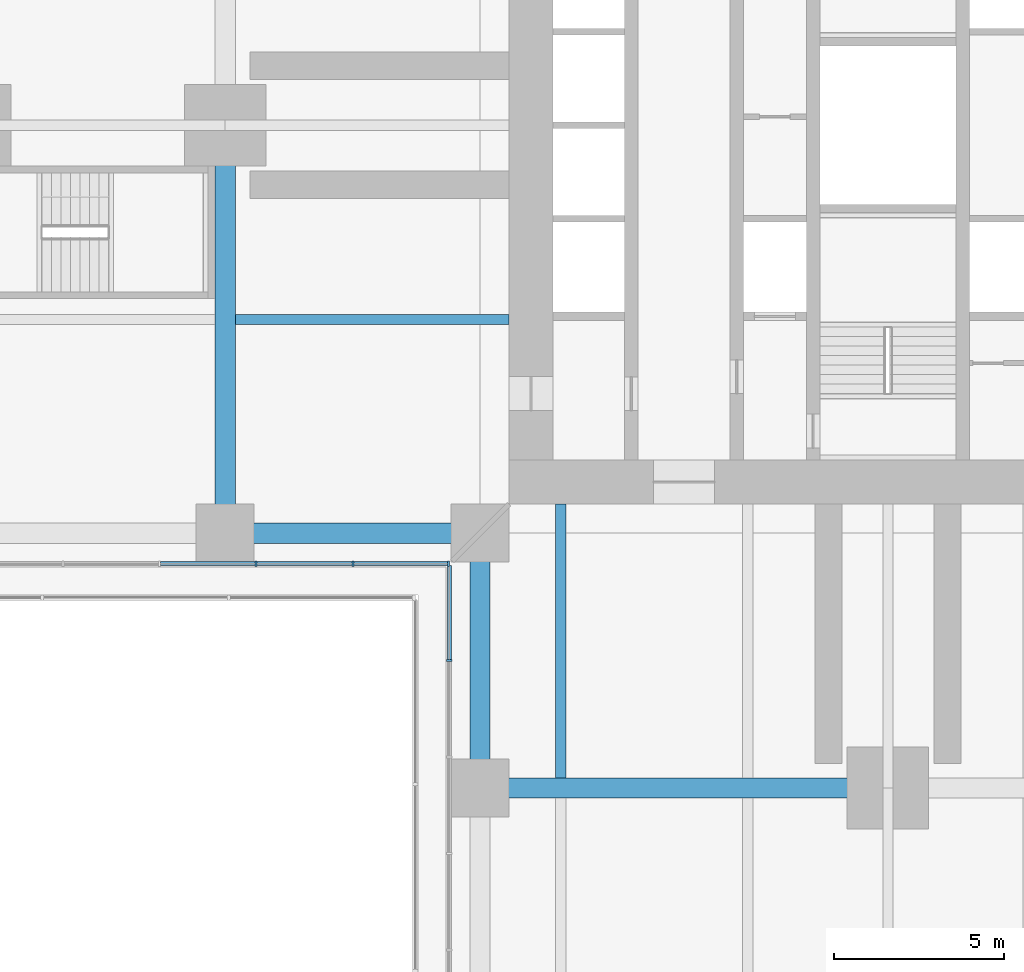
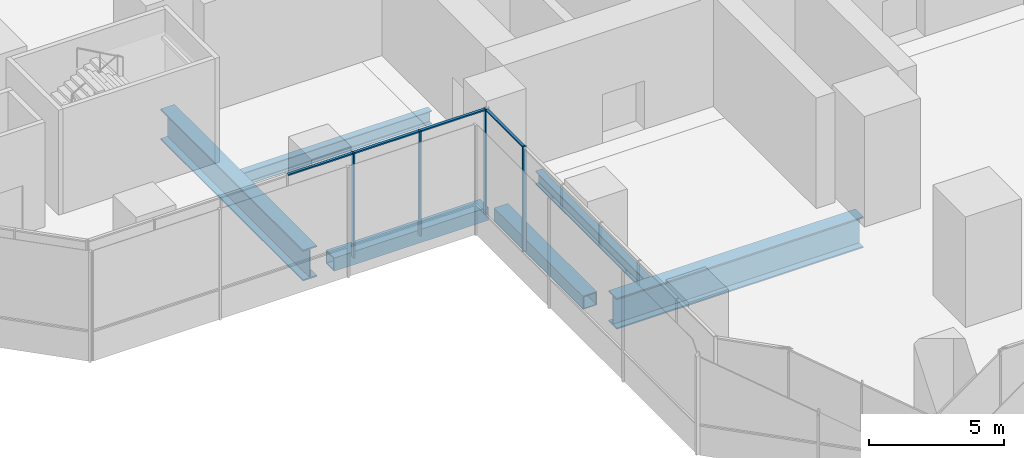
# One storey, part 4 of 23: 8 members, 6 beams, 2 elements without a shape of their own.
"""IFC4 building model written with IfcOpenShell, lengths in metres."""

from ifc_helpers import new_model, si_unit, direction, frame, origin, origin_2d, place, context, subcontext, project, spatial, rectangle, hollow_rectangle, i_section, extrude, material, material_profile, profile_set, type_object, element, aggregate, save


model = new_model("IFC4")

# Units and contexts
model_context = context("Model", 3, precision=1e-05, world=origin(), true_north=direction((0.0, 1.0)))
body_context = subcontext(model_context, "Body", "Model", "MODEL_VIEW")
ifc_project = project(units=[si_unit("LENGTHUNIT", "METRE"), si_unit("AREAUNIT", "SQUARE_METRE"), si_unit("VOLUMEUNIT", "CUBIC_METRE"), si_unit("PLANEANGLEUNIT", "RADIAN"), si_unit("MASSUNIT", "GRAM", prefix="KILO")], contexts=[model_context])

# Site, building, storey
site_placement = place(None, origin())
site = spatial("IfcSite", under=ifc_project, at=site_placement, CompositionType="ELEMENT")
building_placement = place(site_placement, origin())
building = spatial("IfcBuilding", under=site, at=building_placement, Name="Mizan Broadcast Tower", CompositionType="ELEMENT")
storey_placement = place(building_placement, frame((0.0, 0.0, 23.0)))
storey = spatial("IfcBuildingStorey", under=building, at=storey_placement, Name="L03", CompositionType="ELEMENT", Elevation=23.0)

# Beams
ifc_material_1 = material(Name="Steel S355", Category="steel")
ifc_material_profile_1 = material_profile(ifc_material_1, hollow_rectangle(XDim=0.60009765625, YDim=0.60009765625, WallThickness=0.0400390625, at=origin_2d()), Name="BOX 600x600x40")
ifc_profile_set_1 = profile_set([ifc_material_profile_1], Name="Steel S355")
beam_type_1 = type_object("IfcBeamType", Name="EDGE BEAM BOX 600x600x40", PredefinedType="SPANDREL", material=ifc_profile_set_1)
for number, where, z_axis, x_axis, name in (
    (1, (-12.449951171875, -12.0, -0.550048828125), (-1.0, 0.0, 0.0), (0.0, -1.0, 0.0), "Edge beam BOX 600x600x40 L03 west arm"),
    (2, (-12.0, -12.449951171875, -0.550048828125), (0.0, -1.0, 0.0), (1.0, 0.0, 0.0), "Edge beam BOX 600x600x40 L03 south arm"),
):
    element("IfcBeam", number, at=place(storey_placement, frame(where, z_axis=z_axis, x_axis=x_axis)), inside=storey, type_object=beam_type_1, Name=name, PredefinedType="SPANDREL", context=body_context, shape_type="SweptSolid", body=[
        extrude(hollow_rectangle(XDim=0.60009765625, YDim=0.60009765625, WallThickness=0.0400390625, at=origin_2d()), origin(), (0.0, 0.0, 1.0), 6.60009765625),
    ])
ifc_material_2 = material(Name="Steel S460", Category="steel")
ifc_material_profile_2 = material_profile(ifc_material_2, i_section(OverallWidth=0.60009765625, OverallDepth=1.39990234375, WebThickness=0.02490234375, FlangeThickness=0.06005859375, at=origin_2d()), Name="WPG 1400x600")
ifc_profile_set_2 = profile_set([ifc_material_profile_2], Name="Steel S460")
beam_type_2 = type_object("IfcBeamType", Name="GIRDER WPG 1400x600", PredefinedType="BEAM", material=ifc_profile_set_2)
for number, where, z_axis, x_axis, name in (
    (3, (-19.5, -0.719970703125, -0.949951171875), (0.0, -1.0, 0.0), (1.0, 0.0, 0.0), "Girder WPG 1400x600 L03 west arm"),
    (4, (-11.280029296875, -19.5, -0.949951171875), (1.0, 0.0, 0.0), (0.0, 1.0, 0.0), "Girder WPG 1400x600 L03 south arm"),
):
    element("IfcBeam", number, at=place(storey_placement, frame(where, z_axis=z_axis, x_axis=x_axis)), inside=storey, type_object=beam_type_2, Name=name, PredefinedType="BEAM", context=body_context, shape_type="SweptSolid", body=[
        extrude(i_section(OverallWidth=0.60009765625, OverallDepth=1.39990234375, WebThickness=0.02490234375, FlangeThickness=0.06005859375, at=origin_2d()), origin(), (0.0, 0.0, 1.0), 10.56005859375),
    ])

# Curtain wall, members
ifc_material_3 = material(Name="Aluminium framed glazing", Category="aluminium")
curtain_wall_type = type_object("IfcCurtainWallType", Name="PODIUM CURTAIN WALL", PredefinedType="USERDEFINED", material=ifc_material_3)
curtain_wall_1_placement = place(storey_placement, origin())
curtain_wall_1 = element("IfcCurtainWall", 5, at=curtain_wall_1_placement, inside=storey, type_object=curtain_wall_type, Name="Podium curtain wall L03 W side", ObjectType="PODIUM CURTAIN WALL", PredefinedType="USERDEFINED")
ifc_material_4 = material(Name="Aluminium, pale anodised", Category="aluminium")
ifc_material_profile_3 = material_profile(ifc_material_4, rectangle(XDim=0.159912109375, YDim=0.06005859375, at=origin_2d()), Name="MULLION 160x60")
ifc_profile_set_3 = profile_set([ifc_material_profile_3], Name="Aluminium, pale anodised")
member_type_1 = type_object("IfcMemberType", Name="INNER SKIN MULLION 60x160", PredefinedType="MULLION", material=ifc_profile_set_3)
member_1_placement = place(storey_placement, frame((-18.586181640625, -12.89990234375, 0.0), z_axis=(0.0, 0.0, 1.0), x_axis=(0.0, 1.0, 0.0)))
member_1 = element("IfcMember", 6, at=member_1_placement, type_object=member_type_1, Name="Podium curtain wall L03 W side mullion 5", PredefinedType="MULLION", context=body_context, shape_type="SweptSolid", body=[
    extrude(rectangle(XDim=0.159912109375, YDim=0.06005859375, at=origin_2d()), origin(), (0.0, 0.0, 1.0), 4.75),
])
member_2_placement = place(storey_placement, frame((-15.7431640625, -12.89990234375, 0.0), z_axis=(0.0, 0.0, 1.0), x_axis=(0.0, 1.0, 0.0)))
member_2 = element("IfcMember", 7, at=member_2_placement, type_object=member_type_1, Name="Podium curtain wall L03 W side mullion 6", PredefinedType="MULLION", context=body_context, shape_type="SweptSolid", body=[
    extrude(rectangle(XDim=0.159912109375, YDim=0.06005859375, at=origin_2d()), origin(), (0.0, 0.0, 1.0), 4.75),
])
member_3_placement = place(storey_placement, frame((-12.929931640625, -12.89990234375, 0.0), z_axis=(0.0, 0.0, 1.0), x_axis=(0.0, 1.0, 0.0)))
member_3 = element("IfcMember", 8, at=member_3_placement, type_object=member_type_1, Name="Podium curtain wall L03 W side mullion 7", PredefinedType="MULLION", context=body_context, shape_type="SweptSolid", body=[
    extrude(rectangle(XDim=0.159912109375, YDim=0.06005859375, at=origin_2d()), origin(), (0.0, 0.0, 1.0), 4.75),
])

# Curtain wall, member
curtain_wall_2_placement = place(storey_placement, origin())
curtain_wall_2 = element("IfcCurtainWall", 9, at=curtain_wall_2_placement, inside=storey, type_object=curtain_wall_type, Name="Podium curtain wall L03 S side", ObjectType="PODIUM CURTAIN WALL", PredefinedType="USERDEFINED")
member_4_placement = place(storey_placement, frame((-12.89990234375, -15.7431640625, 0.0), z_axis=(0.0, 0.0, 1.0), x_axis=(1.0, 0.0, 0.0)))
member_4 = element("IfcMember", 10, at=member_4_placement, type_object=member_type_1, Name="Podium curtain wall L03 S side mullion 2", PredefinedType="MULLION", context=body_context, shape_type="SweptSolid", body=[
    extrude(rectangle(XDim=0.159912109375, YDim=0.06005859375, at=origin_2d()), origin(), (0.0, 0.0, 1.0), 4.75),
])

# Member
ifc_material_5 = material(Name="Aluminium, pale anodised", Category="aluminium")
ifc_material_profile_4 = material_profile(ifc_material_5, rectangle(XDim=0.1201171875, YDim=0.06005859375, at=origin_2d()), Name="TRANSOM 120x60")
ifc_profile_set_4 = profile_set([ifc_material_profile_4], Name="Aluminium, pale anodised")
member_type_2 = type_object("IfcMemberType", Name="INNER SKIN TRANSOM 60x120", PredefinedType="USERDEFINED", material=ifc_profile_set_4)
member_5_placement = place(storey_placement, frame((-21.399169921875, -12.89990234375, 4.719970703125), z_axis=(1.0, 0.0, 0.0), x_axis=(0.0, 1.0, 0.0)))
member_5 = element("IfcMember", 11, at=member_5_placement, type_object=member_type_2, Name="Podium curtain wall L03 W side transom 4.1", ObjectType="TRANSOM", PredefinedType="USERDEFINED", context=body_context, shape_type="SweptSolid", body=[
    extrude(rectangle(XDim=0.1201171875, YDim=0.06005859375, at=origin_2d()), origin(), (0.0, 0.0, 1.0), 2.782958984375),
])

member_6_placement = place(storey_placement, frame((-18.55615234375, -12.89990234375, 4.719970703125), z_axis=(1.0, 0.0, 0.0), x_axis=(0.0, 1.0, 0.0)))
member_6 = element("IfcMember", 12, at=member_6_placement, type_object=member_type_2, Name="Podium curtain wall L03 W side transom 5.1", ObjectType="TRANSOM", PredefinedType="USERDEFINED", context=body_context, shape_type="SweptSolid", body=[
    extrude(rectangle(XDim=0.1201171875, YDim=0.06005859375, at=origin_2d()), origin(), (0.0, 0.0, 1.0), 2.782958984375),
])

member_7_placement = place(storey_placement, frame((-15.713134765625, -12.89990234375, 4.719970703125), z_axis=(1.0, 0.0, 0.0), x_axis=(0.0, 1.0, 0.0)))
member_7 = element("IfcMember", 13, at=member_7_placement, type_object=member_type_2, Name="Podium curtain wall L03 W side transom 6.1", ObjectType="TRANSOM", PredefinedType="USERDEFINED", context=body_context, shape_type="SweptSolid", body=[
    extrude(rectangle(XDim=0.1201171875, YDim=0.06005859375, at=origin_2d()), origin(), (0.0, 0.0, 1.0), 2.753173828125),
])

aggregate(curtain_wall_1, [member_1, member_2, member_3, member_5, member_6, member_7])

member_8_placement = place(storey_placement, frame((-12.89990234375, -12.9599609375, 4.719970703125), z_axis=(0.0, -1.0, 0.0), x_axis=(1.0, 0.0, 0.0)))
member_8 = element("IfcMember", 14, at=member_8_placement, type_object=member_type_2, Name="Podium curtain wall L03 S side transom 1.1", ObjectType="TRANSOM", PredefinedType="USERDEFINED", context=body_context, shape_type="SweptSolid", body=[
    extrude(rectangle(XDim=0.1201171875, YDim=0.06005859375, at=origin_2d()), origin(), (0.0, 0.0, 1.0), 2.753173828125),
])

aggregate(curtain_wall_2, [member_4, member_8])

# Beams
ifc_material_6 = material(Name="Steel S355", Category="steel")
ifc_material_profile_5 = material_profile(ifc_material_6, i_section(OverallWidth=0.300048828125, OverallDepth=0.590087890625, WebThickness=0.012939453125, FlangeThickness=0.02490234375, FilletRadius=0.027099609375, at=origin_2d()), Name="HEA 600")
ifc_profile_set_5 = profile_set([ifc_material_profile_5], Name="Steel S355")
beam_type_3 = type_object("IfcBeamType", Name="SECONDARY BEAM HEA 600", PredefinedType="JOIST", material=ifc_profile_set_5)
for number, where, z_axis, x_axis, name in (
    (15, (-11.14990234375, -5.71435546875, -0.544921875), (-1.0, 0.0, 0.0), (0.0, -1.0, 0.0), "Secondary beam HEA 600 L03 west arm"),
    (16, (-9.625, -11.14990234375, -0.544921875), (0.0, -1.0, 0.0), (1.0, 0.0, 0.0), "Secondary beam HEA 600 L03 south arm"),
):
    element("IfcBeam", number, at=place(storey_placement, frame(where, z_axis=z_axis, x_axis=x_axis)), inside=storey, type_object=beam_type_3, Name=name, PredefinedType="JOIST", context=body_context, shape_type="SweptSolid", body=[
        extrude(i_section(OverallWidth=0.300048828125, OverallDepth=0.590087890625, WebThickness=0.012939453125, FlangeThickness=0.02490234375, FilletRadius=0.027099609375, at=origin_2d()), origin(), (0.0, 0.0, 1.0), 8.050048828125),
    ])

save(model, "model.ifc")
